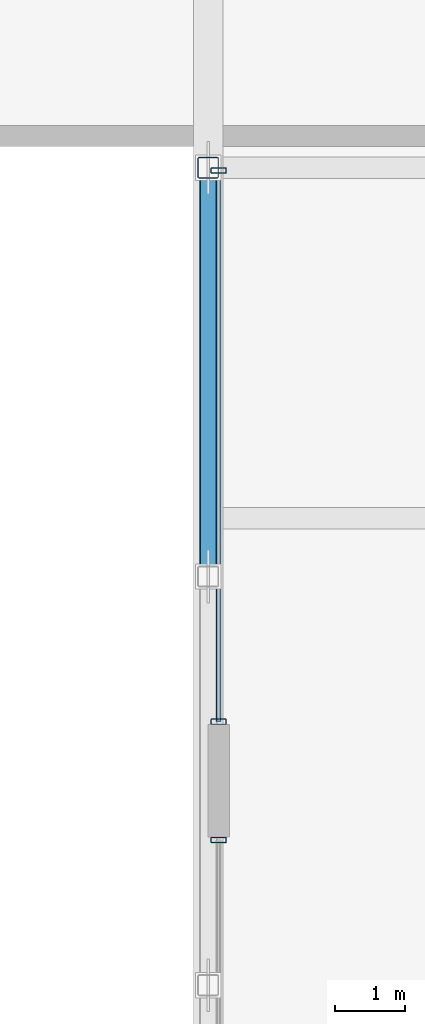
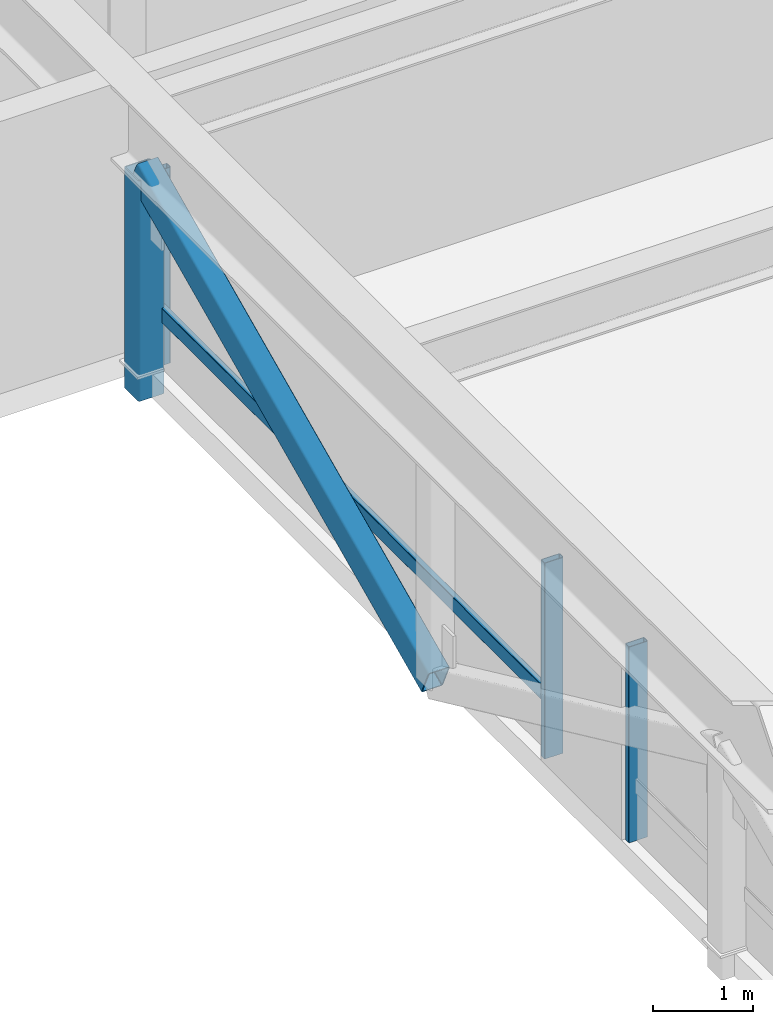
# One storey, part 6 of 35: 6 members, 2 elements without a shape of their own.
"""IFC4 building model written with IfcOpenShell, lengths in metres."""

from ifc_helpers import new_model, si_unit, direction, frame, origin, origin_2d, place, context, subcontext, project, spatial, hollow_rectangle, extrude, material, layer, layer_set, material_profile, profile_set, type_object, element, aggregate, save


model = new_model("IFC4")

# Units and contexts
model_context = context("Model", 3, precision=1e-05, world=origin(), true_north=direction((0.0, 1.0)))
body_context = subcontext(model_context, "Body", "Model", "MODEL_VIEW")
ifc_project = project(units=[si_unit("LENGTHUNIT", "METRE"), si_unit("AREAUNIT", "SQUARE_METRE"), si_unit("VOLUMEUNIT", "CUBIC_METRE"), si_unit("PLANEANGLEUNIT", "RADIAN"), si_unit("MASSUNIT", "GRAM", prefix="KILO")], contexts=[model_context])

# Site, building, storey
site_placement = place(None, origin())
site = spatial("IfcSite", under=ifc_project, at=site_placement, CompositionType="ELEMENT")
building_placement = place(site_placement, origin())
building = spatial("IfcBuilding", under=site, at=building_placement, Name="Korimba Cascade Residences", CompositionType="ELEMENT")
storey_placement = place(building_placement, frame((0.0, 0.0, 150.10009765625)))
storey = spatial("IfcBuildingStorey", under=building, at=storey_placement, Name="L43", CompositionType="ELEMENT", Elevation=150.10009765625)

# Curtain wall, member
ifc_material_1 = material(Name="Anodised Aluminium Curtain Wall Framing", Category="aluminium")
ifc_layer = layer(ifc_material_1, 0.179931640625)
ifc_layer_set = layer_set([ifc_layer], Name="Anodised Aluminium Curtain Wall Framing")
curtain_wall_type = type_object("IfcCurtainWallType", Name="CW-OBS-SYS4", PredefinedType="NOTDEFINED", material=ifc_layer_set)
curtain_wall_1_placement = place(storey_placement, origin())
curtain_wall_1 = element("IfcCurtainWall", 1, at=curtain_wall_1_placement, inside=storey, type_object=curtain_wall_type, Name="L43 Curtain Wall CW-L43-BRG-W1", PredefinedType="NOTDEFINED")
ifc_material_2 = material(Name="Anodised Aluminium Mullion", Category="aluminium")
ifc_material_profile_1 = material_profile(ifc_material_2, hollow_rectangle(XDim=0.080078125, YDim=0.219970703125, WallThickness=0.00634765625, InnerFilletRadius=0.00634765625, OuterFilletRadius=0.0126953125, at=origin_2d()), Name="Anodised Aluminium Mullion")
ifc_profile_set_1 = profile_set([ifc_material_profile_1], Name="Anodised Aluminium Mullion")
member_type_1 = type_object("IfcMemberType", Name="CWM-MUL-220", PredefinedType="MULLION", material=ifc_profile_set_1)
member_1_placement = place(storey_placement, frame((82.25, 40.9599609375, 0.0), z_axis=(0.0, 0.0, 1.0), x_axis=(0.0, 1.0, 0.0)))
member_1 = element("IfcMember", 2, at=member_1_placement, type_object=member_type_1, Name="CW-L43-BRG-W1 Mullion 2", PredefinedType="MULLION", context=body_context, shape_type="SweptSolid", body=[
    extrude(hollow_rectangle(XDim=0.080078125, YDim=0.219970703125, WallThickness=0.00634765625, InnerFilletRadius=0.00634765625, OuterFilletRadius=0.0126953125, at=origin_2d()), origin(), (0.0, 0.0, 1.0), 2.3798828125),
])
aggregate(curtain_wall_1, [member_1])

# Curtain wall, members
curtain_wall_2_placement = place(storey_placement, origin())
curtain_wall_2 = element("IfcCurtainWall", 3, at=curtain_wall_2_placement, inside=storey, type_object=curtain_wall_type, Name="L43 Curtain Wall CW-L43-BRG-W2", PredefinedType="NOTDEFINED")
member_2_placement = place(storey_placement, frame((82.25, 42.639892578125, 0.0), z_axis=(0.0, 0.0, 1.0), x_axis=(0.0, 1.0, 0.0)))
member_2 = element("IfcMember", 4, at=member_2_placement, type_object=member_type_1, Name="CW-L43-BRG-W2 Mullion 1", PredefinedType="MULLION", context=body_context, shape_type="SweptSolid", body=[
    extrude(hollow_rectangle(XDim=0.080078125, YDim=0.219970703125, WallThickness=0.00634765625, InnerFilletRadius=0.00634765625, OuterFilletRadius=0.0126953125, at=origin_2d()), origin(), (0.0, 0.0, 1.0), 2.3798828125),
])
member_3_placement = place(storey_placement, frame((82.25, 50.4599609375, 0.0), z_axis=(0.0, 0.0, 1.0), x_axis=(0.0, 1.0, 0.0)))
member_3 = element("IfcMember", 5, at=member_3_placement, type_object=member_type_1, Name="CW-L43-BRG-W2 Mullion 2", PredefinedType="MULLION", context=body_context, shape_type="SweptSolid", body=[
    extrude(hollow_rectangle(XDim=0.080078125, YDim=0.219970703125, WallThickness=0.00634765625, InnerFilletRadius=0.00634765625, OuterFilletRadius=0.0126953125, at=origin_2d()), origin(), (0.0, 0.0, 1.0), 2.3798828125),
])
ifc_material_3 = material(Name="Anodised Aluminium Transom", Category="aluminium")
ifc_material_profile_2 = material_profile(ifc_material_3, hollow_rectangle(XDim=0.070068359375, YDim=0.179931640625, WallThickness=0.0048828125, InnerFilletRadius=0.0048828125, OuterFilletRadius=0.010009765625, at=origin_2d()), Name="Anodised Aluminium Transom")
ifc_profile_set_2 = profile_set([ifc_material_profile_2], Name="Anodised Aluminium Transom")
member_type_2 = type_object("IfcMemberType", Name="CWM-TRN-150", PredefinedType="USERDEFINED", material=ifc_profile_set_2)
member_4_placement = place(storey_placement, frame((82.25, 42.639892578125, 0.666259765625), z_axis=(0.0, 1.0, 0.0), x_axis=(-1.0, 0.0, 0.0)))
member_4 = element("IfcMember", 6, at=member_4_placement, type_object=member_type_2, Name="CW-L43-BRG-W2 Transom 1", ObjectType="TRANSOM", PredefinedType="USERDEFINED", context=body_context, shape_type="SweptSolid", body=[
    extrude(hollow_rectangle(XDim=0.070068359375, YDim=0.179931640625, WallThickness=0.0048828125, InnerFilletRadius=0.0048828125, OuterFilletRadius=0.010009765625, at=origin_2d()), origin(), (0.0, 0.0, 1.0), 7.820068359375),
])
aggregate(curtain_wall_2, [member_2, member_3, member_4])

# Members
ifc_material_4 = material(Name="Steel S460", Category="steel")
ifc_material_profile_3 = material_profile(ifc_material_4, hollow_rectangle(XDim=0.25, YDim=0.35009765625, WallThickness=0.012451171875, InnerFilletRadius=0.012451171875, OuterFilletRadius=0.02490234375, at=origin_2d()), Name="Steel S460")
ifc_profile_set_3 = profile_set([ifc_material_profile_3], Name="Steel S460")
member_type_3 = type_object("IfcMemberType", Name="MEM-BRG-SHS350", PredefinedType="BRACE", material=ifc_profile_set_3)
member_5_placement = place(storey_placement, frame((82.10009765625, 44.699951171875, -0.2900390625), z_axis=(0.0, 0.907839673774, 0.419317453396), x_axis=(-1.0, 0.0, 0.0)))
element("IfcMember", 7, at=member_5_placement, inside=storey, type_object=member_type_3, Name="L43 Mid-Bridge Warren Diagonal W3", PredefinedType="BRACE", context=body_context, shape_type="SweptSolid", body=[
    extrude(hollow_rectangle(XDim=0.25, YDim=0.35009765625, WallThickness=0.012451171875, InnerFilletRadius=0.012451171875, OuterFilletRadius=0.02490234375, at=origin_2d()), origin(), (0.0, 0.0, 1.0), 6.388916015625),
])
ifc_material_profile_4 = material_profile(ifc_material_4, hollow_rectangle(XDim=0.300048828125, YDim=0.300048828125, WallThickness=0.012451171875, InnerFilletRadius=0.012451171875, OuterFilletRadius=0.02490234375, at=origin_2d()), Name="Steel S460")
ifc_profile_set_4 = profile_set([ifc_material_profile_4], Name="Steel S460")
member_type_4 = type_object("IfcMemberType", Name="MEM-BRG-STR300", PredefinedType="STRUT", material=ifc_profile_set_4)
member_6_placement = place(storey_placement, frame((82.10009765625, 50.5, -0.2900390625), z_axis=(0.0, 0.0, 1.0), x_axis=(1.0, 0.0, 0.0)))
element("IfcMember", 8, at=member_6_placement, inside=storey, type_object=member_type_4, Name="L43 Mid-Bridge Warren Web Post W4", PredefinedType="STRUT", context=body_context, shape_type="SweptSolid", body=[
    extrude(hollow_rectangle(XDim=0.300048828125, YDim=0.300048828125, WallThickness=0.012451171875, InnerFilletRadius=0.012451171875, OuterFilletRadius=0.02490234375, at=origin_2d()), origin(), (0.0, 0.0, 1.0), 2.678955078125),
])

save(model, "model.ifc")
